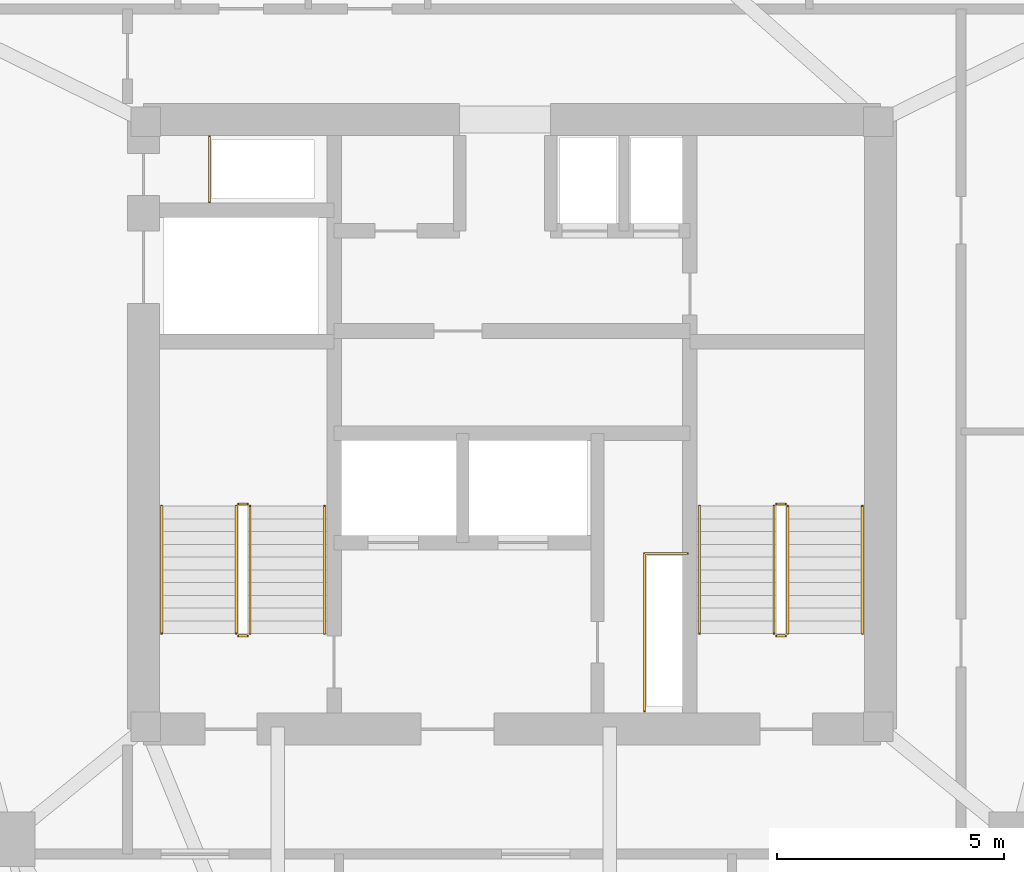
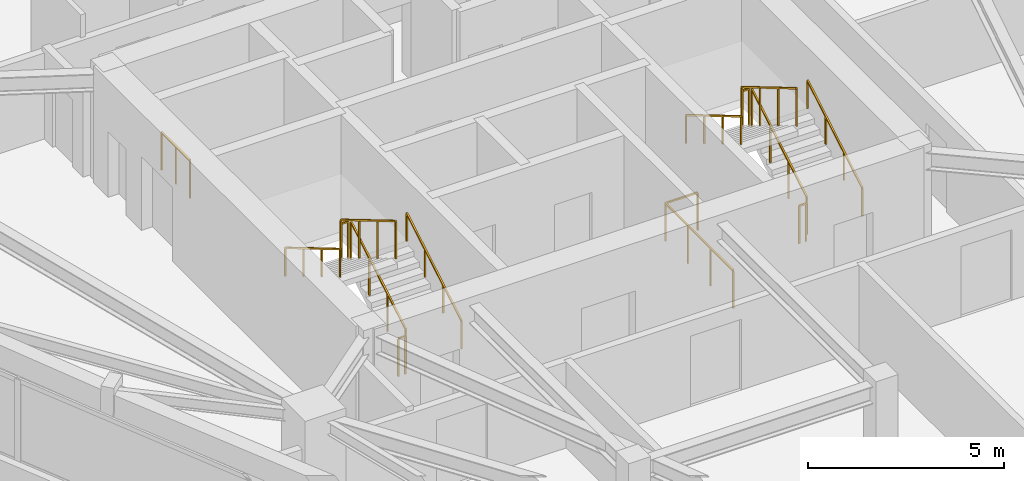
# One storey, part 11 of 11: 14 railings.
"""IFC4 building model written with IfcOpenShell, lengths in metres."""

from ifc_helpers import new_model, si_unit, direction, frame, origin, origin_2d, place, context, subcontext, project, spatial, rectangle, extrude, material, type_object, element, save


model = new_model("IFC4")

# Units and contexts
model_context = context("Model", 3, precision=1e-05, world=origin(), true_north=direction((0.0, 1.0)))
body_context = subcontext(model_context, "Body", "Model", "MODEL_VIEW")
ifc_project = project(units=[si_unit("LENGTHUNIT", "METRE"), si_unit("AREAUNIT", "SQUARE_METRE"), si_unit("VOLUMEUNIT", "CUBIC_METRE"), si_unit("PLANEANGLEUNIT", "RADIAN"), si_unit("MASSUNIT", "GRAM", prefix="KILO")], contexts=[model_context])

# Site, building, storey
site_placement = place(None, origin())
site = spatial("IfcSite", under=ifc_project, at=site_placement, CompositionType="ELEMENT")
building_placement = place(site_placement, origin())
building = spatial("IfcBuilding", under=site, at=building_placement, Name="Talyreon Biosciences Tower", CompositionType="ELEMENT")
storey_placement = place(building_placement, frame((0.0, 0.0, 249.85009765625)))
storey = spatial("IfcBuildingStorey", under=building, at=storey_placement, Name="L66", CompositionType="ELEMENT", Elevation=249.85009765625)

# Railings
ifc_material_1 = material(Name="Brushed stainless-steel tubular handrail", Category="steel")
railing_type_1 = type_object("IfcRailingType", Name="StairWallHandrail_900", PredefinedType="HANDRAIL", material=ifc_material_1)
railing_1_placement = place(storey_placement, frame((61.8798828125, 63.39990234375, 0.165771484375)))
element("IfcRailing", 1, at=railing_1_placement, inside=storey, type_object=railing_type_1, Name="L66 ST-1 stair handrail 1", PredefinedType="HANDRAIL", context=body_context, shape_type="SweptSolid", body=[
    extrude(rectangle(XDim=0.048095703125, YDim=0.048095703125, at=origin_2d()), frame((0.0, 0.0, 0.8759765625), z_axis=(0.0, 0.860306154799, 0.50977771628), x_axis=(-1.0, 0.0, 0.0)), (0.0, 0.0, 1.0), 3.254638671875),
    extrude(rectangle(XDim=0.0419921875, YDim=0.0419921875, at=origin_2d()), origin(), (0.0, 0.0, 1.0), 0.851806640625),
    extrude(rectangle(XDim=0.0419921875, YDim=0.0419921875, at=origin_2d()), frame((0.0, 0.933349609375, 0.552978515625)), (0.0, 0.0, 1.0), 0.851806640625),
    extrude(rectangle(XDim=0.0419921875, YDim=0.0419921875, at=origin_2d()), frame((0.0, 1.86669921875, 1.106201171875)), (0.0, 0.0, 1.0), 0.851806640625),
    extrude(rectangle(XDim=0.0419921875, YDim=0.0419921875, at=origin_2d()), frame((0.0, 2.800048828125, 1.6591796875)), (0.0, 0.0, 1.0), 0.851806640625),
])
railing_2_placement = place(storey_placement, frame((58.300048828125, 66.199951171875, 1.99072265625)))
element("IfcRailing", 2, at=railing_2_placement, inside=storey, type_object=railing_type_1, Name="L66 ST-1 stair handrail 2", PredefinedType="HANDRAIL", context=body_context, shape_type="SweptSolid", body=[
    extrude(rectangle(XDim=0.048095703125, YDim=0.048095703125, at=origin_2d()), frame((0.0, 0.0, 0.8759765625), z_axis=(0.0, -0.860306154799, 0.50977771628), x_axis=(1.0, 0.0, 0.0)), (0.0, 0.0, 1.0), 3.254638671875),
    extrude(rectangle(XDim=0.0419921875, YDim=0.0419921875, at=origin_2d()), origin(), (0.0, 0.0, 1.0), 0.851806640625),
    extrude(rectangle(XDim=0.0419921875, YDim=0.0419921875, at=origin_2d()), frame((0.0, -0.933349609375, 0.552978515625)), (0.0, 0.0, 1.0), 0.851806640625),
    extrude(rectangle(XDim=0.0419921875, YDim=0.0419921875, at=origin_2d()), frame((0.0, -1.86669921875, 1.106201171875)), (0.0, 0.0, 1.0), 0.851806640625),
    extrude(rectangle(XDim=0.0419921875, YDim=0.0419921875, at=origin_2d()), frame((0.0, -2.800048828125, 1.6591796875)), (0.0, 0.0, 1.0), 0.851806640625),
])
railing_3_placement = place(storey_placement, frame((73.699951171875, 63.39990234375, 0.165771484375)))
element("IfcRailing", 3, at=railing_3_placement, inside=storey, type_object=railing_type_1, Name="L66 ST-2 stair handrail 1", PredefinedType="HANDRAIL", context=body_context, shape_type="SweptSolid", body=[
    extrude(rectangle(XDim=0.048095703125, YDim=0.048095703125, at=origin_2d()), frame((0.0, 0.0, 0.8759765625), z_axis=(0.0, 0.860306154799, 0.50977771628), x_axis=(-1.0, 0.0, 0.0)), (0.0, 0.0, 1.0), 3.254638671875),
    extrude(rectangle(XDim=0.0419921875, YDim=0.0419921875, at=origin_2d()), origin(), (0.0, 0.0, 1.0), 0.851806640625),
    extrude(rectangle(XDim=0.0419921875, YDim=0.0419921875, at=origin_2d()), frame((0.0, 0.933349609375, 0.552978515625)), (0.0, 0.0, 1.0), 0.851806640625),
    extrude(rectangle(XDim=0.0419921875, YDim=0.0419921875, at=origin_2d()), frame((0.0, 1.86669921875, 1.106201171875)), (0.0, 0.0, 1.0), 0.851806640625),
    extrude(rectangle(XDim=0.0419921875, YDim=0.0419921875, at=origin_2d()), frame((0.0, 2.800048828125, 1.6591796875)), (0.0, 0.0, 1.0), 0.851806640625),
])
railing_4_placement = place(storey_placement, frame((70.1201171875, 66.199951171875, 1.99072265625)))
element("IfcRailing", 4, at=railing_4_placement, inside=storey, type_object=railing_type_1, Name="L66 ST-2 stair handrail 2", PredefinedType="HANDRAIL", context=body_context, shape_type="SweptSolid", body=[
    extrude(rectangle(XDim=0.048095703125, YDim=0.048095703125, at=origin_2d()), frame((0.0, 0.0, 0.8759765625), z_axis=(0.0, -0.860306154799, 0.50977771628), x_axis=(1.0, 0.0, 0.0)), (0.0, 0.0, 1.0), 3.254638671875),
    extrude(rectangle(XDim=0.0419921875, YDim=0.0419921875, at=origin_2d()), origin(), (0.0, 0.0, 1.0), 0.851806640625),
    extrude(rectangle(XDim=0.0419921875, YDim=0.0419921875, at=origin_2d()), frame((0.0, -0.933349609375, 0.552978515625)), (0.0, 0.0, 1.0), 0.851806640625),
    extrude(rectangle(XDim=0.0419921875, YDim=0.0419921875, at=origin_2d()), frame((0.0, -1.86669921875, 1.106201171875)), (0.0, 0.0, 1.0), 0.851806640625),
    extrude(rectangle(XDim=0.0419921875, YDim=0.0419921875, at=origin_2d()), frame((0.0, -2.800048828125, 1.6591796875)), (0.0, 0.0, 1.0), 0.851806640625),
])
ifc_material_2 = material(Name="Painted galvanised steel post-and-rail balustrade", Category="steel")
railing_type_2 = type_object("IfcRailingType", Name="TerraceStairGuard_1200", PredefinedType="GUARDRAIL", material=ifc_material_2)
railing_5_placement = place(storey_placement, frame((60.239990234375, 63.39990234375, 0.165771484375)))
element("IfcRailing", 5, at=railing_5_placement, inside=storey, type_object=railing_type_2, Name="L66 ST-1 stair guard 1", PredefinedType="GUARDRAIL", context=body_context, shape_type="SweptSolid", body=[
    extrude(rectangle(XDim=0.048095703125, YDim=0.048095703125, at=origin_2d()), frame((0.0, 0.0, 1.17578125), z_axis=(0.0, 0.860306154799, 0.50977771628), x_axis=(-1.0, 0.0, 0.0)), (0.0, 0.0, 1.0), 3.254638671875),
    extrude(rectangle(XDim=0.0419921875, YDim=0.0419921875, at=origin_2d()), origin(), (0.0, 0.0, 1.0), 1.15185546875),
    extrude(rectangle(XDim=0.0419921875, YDim=0.0419921875, at=origin_2d()), frame((0.0, 0.933349609375, 0.552978515625)), (0.0, 0.0, 1.0), 1.15185546875),
    extrude(rectangle(XDim=0.0419921875, YDim=0.0419921875, at=origin_2d()), frame((0.0, 1.86669921875, 1.106201171875)), (0.0, 0.0, 1.0), 1.15185546875),
    extrude(rectangle(XDim=0.0419921875, YDim=0.0419921875, at=origin_2d()), frame((0.0, 2.800048828125, 1.6591796875)), (0.0, 0.0, 1.0), 1.15185546875),
])
railing_6_placement = place(storey_placement, frame((60.18994140625, 66.25, 1.824951171875)))
element("IfcRailing", 6, at=railing_6_placement, inside=storey, type_object=railing_type_2, Name="L66 ST-1 stair guard 2", PredefinedType="GUARDRAIL", context=body_context, shape_type="SweptSolid", body=[
    extrude(rectangle(XDim=0.048095703125, YDim=0.048095703125, at=origin_2d()), frame((0.0, 0.0, 1.17578125), z_axis=(-1.0, 0.0, 0.0), x_axis=(0.0, -1.0, 0.0)), (0.0, 0.0, 1.0), 0.199951171875),
    extrude(rectangle(XDim=0.0419921875, YDim=0.0419921875, at=origin_2d()), origin(), (0.0, 0.0, 1.0), 1.15185546875),
    extrude(rectangle(XDim=0.0419921875, YDim=0.0419921875, at=origin_2d()), frame((-0.199951171875, 0.0, 0.0)), (0.0, 0.0, 1.0), 1.15185546875),
])
railing_7_placement = place(storey_placement, frame((59.93994140625, 66.199951171875, 1.99072265625)))
element("IfcRailing", 7, at=railing_7_placement, inside=storey, type_object=railing_type_2, Name="L66 ST-1 stair guard 3", PredefinedType="GUARDRAIL", context=body_context, shape_type="SweptSolid", body=[
    extrude(rectangle(XDim=0.048095703125, YDim=0.048095703125, at=origin_2d()), frame((0.0, 0.0, 1.17578125), z_axis=(0.0, -0.860306154799, 0.50977771628), x_axis=(1.0, 0.0, 0.0)), (0.0, 0.0, 1.0), 3.254638671875),
    extrude(rectangle(XDim=0.0419921875, YDim=0.0419921875, at=origin_2d()), origin(), (0.0, 0.0, 1.0), 1.15185546875),
    extrude(rectangle(XDim=0.0419921875, YDim=0.0419921875, at=origin_2d()), frame((0.0, -0.933349609375, 0.552978515625)), (0.0, 0.0, 1.0), 1.15185546875),
    extrude(rectangle(XDim=0.0419921875, YDim=0.0419921875, at=origin_2d()), frame((0.0, -1.86669921875, 1.106201171875)), (0.0, 0.0, 1.0), 1.15185546875),
    extrude(rectangle(XDim=0.0419921875, YDim=0.0419921875, at=origin_2d()), frame((0.0, -2.800048828125, 1.6591796875)), (0.0, 0.0, 1.0), 1.15185546875),
])
railing_8_placement = place(storey_placement, frame((60.18994140625, 63.35009765625, 0.0)))
element("IfcRailing", 8, at=railing_8_placement, inside=storey, type_object=railing_type_2, Name="L66 ST-1 stair guard 4", PredefinedType="GUARDRAIL", context=body_context, shape_type="SweptSolid", body=[
    extrude(rectangle(XDim=0.048095703125, YDim=0.048095703125, at=origin_2d()), frame((0.0, 0.0, 1.17578125), z_axis=(-1.0, 0.0, 0.0), x_axis=(0.0, -1.0, 0.0)), (0.0, 0.0, 1.0), 0.199951171875),
    extrude(rectangle(XDim=0.0419921875, YDim=0.0419921875, at=origin_2d()), origin(), (0.0, 0.0, 1.0), 1.15185546875),
    extrude(rectangle(XDim=0.0419921875, YDim=0.0419921875, at=origin_2d()), frame((-0.199951171875, 0.0, 0.0)), (0.0, 0.0, 1.0), 1.15185546875),
])
railing_9_placement = place(storey_placement, frame((72.06005859375, 63.39990234375, 0.165771484375)))
element("IfcRailing", 9, at=railing_9_placement, inside=storey, type_object=railing_type_2, Name="L66 ST-2 stair guard 1", PredefinedType="GUARDRAIL", context=body_context, shape_type="SweptSolid", body=[
    extrude(rectangle(XDim=0.048095703125, YDim=0.048095703125, at=origin_2d()), frame((0.0, 0.0, 1.17578125), z_axis=(0.0, 0.860306154799, 0.50977771628), x_axis=(-1.0, 0.0, 0.0)), (0.0, 0.0, 1.0), 3.254638671875),
    extrude(rectangle(XDim=0.0419921875, YDim=0.0419921875, at=origin_2d()), origin(), (0.0, 0.0, 1.0), 1.15185546875),
    extrude(rectangle(XDim=0.0419921875, YDim=0.0419921875, at=origin_2d()), frame((0.0, 0.933349609375, 0.552978515625)), (0.0, 0.0, 1.0), 1.15185546875),
    extrude(rectangle(XDim=0.0419921875, YDim=0.0419921875, at=origin_2d()), frame((0.0, 1.86669921875, 1.106201171875)), (0.0, 0.0, 1.0), 1.15185546875),
    extrude(rectangle(XDim=0.0419921875, YDim=0.0419921875, at=origin_2d()), frame((0.0, 2.800048828125, 1.6591796875)), (0.0, 0.0, 1.0), 1.15185546875),
])
railing_10_placement = place(storey_placement, frame((72.010009765625, 66.25, 1.824951171875)))
element("IfcRailing", 10, at=railing_10_placement, inside=storey, type_object=railing_type_2, Name="L66 ST-2 stair guard 2", PredefinedType="GUARDRAIL", context=body_context, shape_type="SweptSolid", body=[
    extrude(rectangle(XDim=0.048095703125, YDim=0.048095703125, at=origin_2d()), frame((0.0, 0.0, 1.17578125), z_axis=(-1.0, 0.0, 0.0), x_axis=(0.0, -1.0, 0.0)), (0.0, 0.0, 1.0), 0.199951171875),
    extrude(rectangle(XDim=0.0419921875, YDim=0.0419921875, at=origin_2d()), origin(), (0.0, 0.0, 1.0), 1.15185546875),
    extrude(rectangle(XDim=0.0419921875, YDim=0.0419921875, at=origin_2d()), frame((-0.199951171875, 0.0, 0.0)), (0.0, 0.0, 1.0), 1.15185546875),
])
railing_11_placement = place(storey_placement, frame((71.760009765625, 66.199951171875, 1.99072265625)))
element("IfcRailing", 11, at=railing_11_placement, inside=storey, type_object=railing_type_2, Name="L66 ST-2 stair guard 3", PredefinedType="GUARDRAIL", context=body_context, shape_type="SweptSolid", body=[
    extrude(rectangle(XDim=0.048095703125, YDim=0.048095703125, at=origin_2d()), frame((0.0, 0.0, 1.17578125), z_axis=(0.0, -0.860306154799, 0.50977771628), x_axis=(1.0, 0.0, 0.0)), (0.0, 0.0, 1.0), 3.254638671875),
    extrude(rectangle(XDim=0.0419921875, YDim=0.0419921875, at=origin_2d()), origin(), (0.0, 0.0, 1.0), 1.15185546875),
    extrude(rectangle(XDim=0.0419921875, YDim=0.0419921875, at=origin_2d()), frame((0.0, -0.933349609375, 0.552978515625)), (0.0, 0.0, 1.0), 1.15185546875),
    extrude(rectangle(XDim=0.0419921875, YDim=0.0419921875, at=origin_2d()), frame((0.0, -1.86669921875, 1.106201171875)), (0.0, 0.0, 1.0), 1.15185546875),
    extrude(rectangle(XDim=0.0419921875, YDim=0.0419921875, at=origin_2d()), frame((0.0, -2.800048828125, 1.6591796875)), (0.0, 0.0, 1.0), 1.15185546875),
])
railing_12_placement = place(storey_placement, frame((72.010009765625, 63.35009765625, 0.0)))
element("IfcRailing", 12, at=railing_12_placement, inside=storey, type_object=railing_type_2, Name="L66 ST-2 stair guard 4", PredefinedType="GUARDRAIL", context=body_context, shape_type="SweptSolid", body=[
    extrude(rectangle(XDim=0.048095703125, YDim=0.048095703125, at=origin_2d()), frame((0.0, 0.0, 1.17578125), z_axis=(-1.0, 0.0, 0.0), x_axis=(0.0, -1.0, 0.0)), (0.0, 0.0, 1.0), 0.199951171875),
    extrude(rectangle(XDim=0.0419921875, YDim=0.0419921875, at=origin_2d()), origin(), (0.0, 0.0, 1.0), 1.15185546875),
    extrude(rectangle(XDim=0.0419921875, YDim=0.0419921875, at=origin_2d()), frame((-0.199951171875, 0.0, 0.0)), (0.0, 0.0, 1.0), 1.15185546875),
])
railing_13_placement = place(storey_placement, frame((59.35009765625, 72.8798828125, 0.0)))
element("IfcRailing", 13, at=railing_13_placement, inside=storey, type_object=railing_type_2, Name="L66 Exhaust Riser Maintenance Guardrail", PredefinedType="GUARDRAIL", context=body_context, shape_type="SweptSolid", body=[
    extrude(rectangle(XDim=0.048095703125, YDim=0.048095703125, at=origin_2d()), frame((0.0, 0.0, 1.17578125), z_axis=(0.0, 1.0, 0.0), x_axis=(-1.0, 0.0, 0.0)), (0.0, 0.0, 1.0), 1.4501953125),
    extrude(rectangle(XDim=0.0419921875, YDim=0.0419921875, at=origin_2d()), origin(), (0.0, 0.0, 1.0), 1.15185546875),
    extrude(rectangle(XDim=0.0419921875, YDim=0.0419921875, at=origin_2d()), frame((0.0, 0.72509765625, 0.0)), (0.0, 0.0, 1.0), 1.15185546875),
    extrude(rectangle(XDim=0.0419921875, YDim=0.0419921875, at=origin_2d()), frame((0.0, 1.4501953125, 0.0)), (0.0, 0.0, 1.0), 1.15185546875),
])
railing_14_placement = place(storey_placement, frame((68.909912109375, 61.699951171875, 0.0)))
element("IfcRailing", 14, at=railing_14_placement, inside=storey, type_object=railing_type_2, Name="L66 Electrical Riser Maintenance Guardrail", PredefinedType="GUARDRAIL", context=body_context, shape_type="SweptSolid", body=[
    extrude(rectangle(XDim=0.048095703125, YDim=0.048095703125, at=origin_2d()), frame((0.0, 0.0, 1.17578125), z_axis=(0.0, 1.0, 0.0), x_axis=(-1.0, 0.0, 0.0)), (0.0, 0.0, 1.0), 3.4599609375),
    extrude(rectangle(XDim=0.048095703125, YDim=0.048095703125, at=origin_2d()), frame((0.0, 3.4599609375, 1.17578125), z_axis=(1.0, 0.0, 0.0), x_axis=(0.0, 1.0, 0.0)), (0.0, 0.0, 1.0), 0.9501953125),
    extrude(rectangle(XDim=0.0419921875, YDim=0.0419921875, at=origin_2d()), origin(), (0.0, 0.0, 1.0), 1.15185546875),
    extrude(rectangle(XDim=0.0419921875, YDim=0.0419921875, at=origin_2d()), frame((0.0, 1.1533203125, 0.0)), (0.0, 0.0, 1.0), 1.15185546875),
    extrude(rectangle(XDim=0.0419921875, YDim=0.0419921875, at=origin_2d()), frame((0.0, 2.306640625, 0.0)), (0.0, 0.0, 1.0), 1.15185546875),
    extrude(rectangle(XDim=0.0419921875, YDim=0.0419921875, at=origin_2d()), frame((0.0, 3.4599609375, 0.0)), (0.0, 0.0, 1.0), 1.15185546875),
    extrude(rectangle(XDim=0.0419921875, YDim=0.0419921875, at=origin_2d()), frame((0.9501953125, 3.4599609375, 0.0)), (0.0, 0.0, 1.0), 1.15185546875),
])

save(model, "model.ifc")
